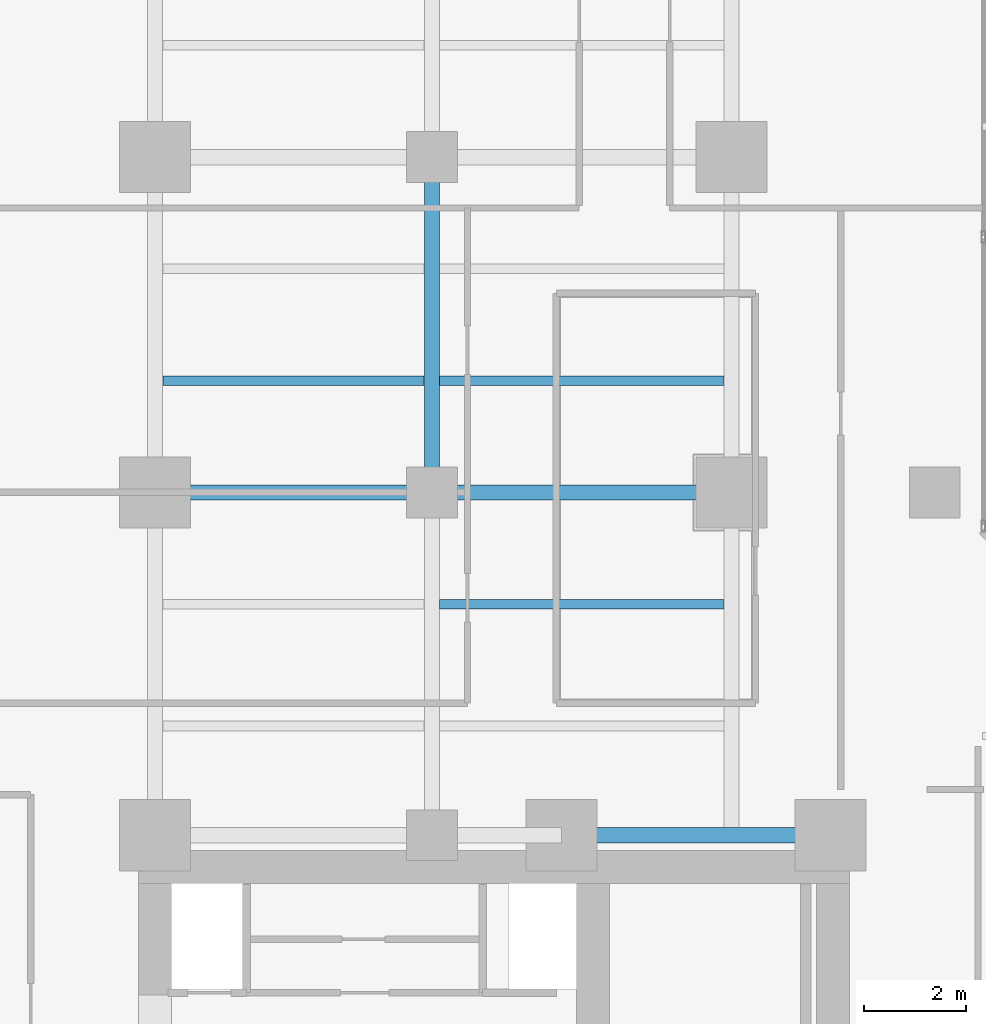
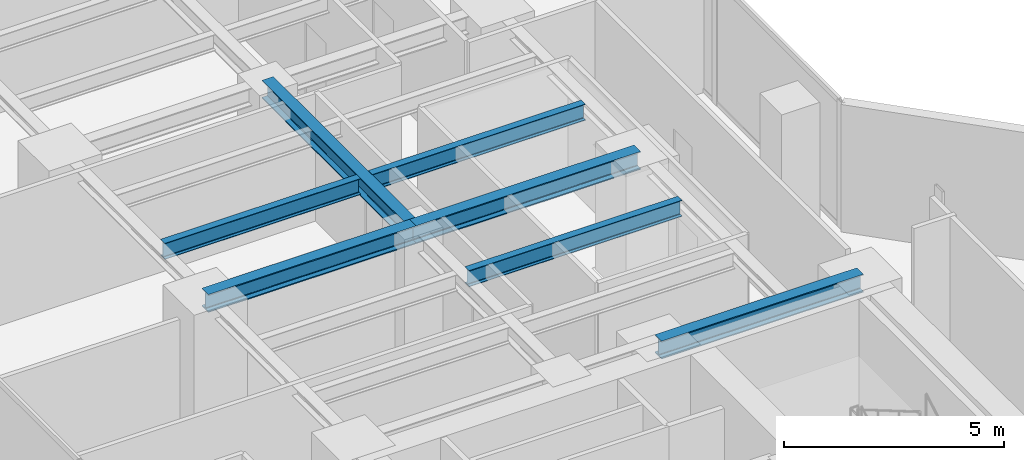
# One storey, part 8 of 27: 7 beams.
"""IFC4 building model written with IfcOpenShell, lengths in metres."""

import ifcopenshell
import ifcopenshell.guid

model = None  # the IFC model being written
_history = None  # IfcOwnerHistory: only IFC2X3 demands one
_inside = {}  # id of a spatial element -> (the spatial element, [elements in it])
_under = {}  # id of a project, library or spatial element -> (it, [spatial elements below it])
_declared = {}  # id of a project -> (the project, [libraries it declares])
_typed = {}  # id of a type object -> (the type object, [elements of that type])
_made_of = {}  # id of a material, layer set ... -> (it, [elements and type objects made of it])


def new_model(schema):
    """Start an empty IFC model of exactly this schema.

    Asked for "IFC4X3", IfcOpenShell would pick the latest addendum, in which some entities
    have other attributes; the version numbers below select the first issue.
    IFC2X3 requires an IfcOwnerHistory on every rooted entity: one is made here for all.
    """
    global model, _history
    if schema == "IFC4X3":
        model = ifcopenshell.file(schema_version=(4, 3, 0, 0))
    else:
        model = ifcopenshell.file(schema=schema)
    _inside.clear()
    _under.clear()
    _declared.clear()
    _typed.clear()
    _made_of.clear()
    _history = None
    if model.schema == "IFC2X3":
        org = make("IfcOrganization", Name="unknown")
        user = make(
            "IfcPersonAndOrganization",
            ThePerson=make("IfcPerson", FamilyName="unknown"),
            TheOrganization=org,
        )
        app = make(
            "IfcApplication",
            ApplicationDeveloper=org,
            Version="unknown",
            ApplicationFullName="unknown",
            ApplicationIdentifier="unknown",
        )
        _history = make(
            "IfcOwnerHistory",
            OwningUser=user,
            OwningApplication=app,
            ChangeAction="ADDED",
            CreationDate=0,
        )
    return model


def make(cls, **values):
    """One entity of the class cls with the attributes given. An attribute that is None is left unset."""
    return model.create_entity(
        cls, **{name: value for name, value in values.items() if value is not None}
    )


def rooted(cls, **values):
    """An entity with a GlobalId (a new one), such as an element, a storey or a relation."""
    return make(cls, GlobalId=ifcopenshell.guid.new(), OwnerHistory=_history, **values)


def si_unit(unit_type, name, prefix=None):
    """IfcSIUnit, for example si_unit("LENGTHUNIT", "METRE", prefix="MILLI")."""
    return make("IfcSIUnit", UnitType=unit_type, Prefix=prefix, Name=name)


def assignment(units):
    """IfcUnitAssignment: the units of a project."""
    return None if units is None else make("IfcUnitAssignment", Units=units)


def point(xyz):
    """IfcCartesianPoint."""
    return None if xyz is None else make("IfcCartesianPoint", Coordinates=xyz)


def direction(xyz):
    """IfcDirection."""
    return None if xyz is None else make("IfcDirection", DirectionRatios=xyz)


def frame(location, z_axis=None, x_axis=None):
    """IfcAxis2Placement3D, a coordinate frame: its origin and axes. An axis left out is left unset."""
    return make(
        "IfcAxis2Placement3D",
        Location=point(location),
        Axis=direction(z_axis),
        RefDirection=direction(x_axis),
    )


def frame_2d(location, x_axis=None):
    """IfcAxis2Placement2D, a coordinate frame in the plane: its origin and x axis."""
    return make(
        "IfcAxis2Placement2D", Location=point(location), RefDirection=direction(x_axis)
    )


def origin():
    """The frame at (0, 0, 0) with its axes left unset."""
    return frame((0.0, 0.0, 0.0))


def origin_2d():
    """The frame at (0, 0) in the plane with its x axis left unset."""
    return frame_2d((0.0, 0.0))


def place(relative_to, where):
    """IfcLocalPlacement: puts the frame where relative to a parent placement (None: the world)."""
    return make(
        "IfcLocalPlacement", PlacementRelTo=relative_to, RelativePlacement=where
    )


def context(
    kind, dimensions, precision=None, world=None, true_north=None, identifier=None
):
    """IfcGeometricRepresentationContext, for example the 3D "Model" context."""
    return make(
        "IfcGeometricRepresentationContext",
        ContextIdentifier=identifier,
        ContextType=kind,
        CoordinateSpaceDimension=dimensions,
        Precision=precision,
        WorldCoordinateSystem=world,
        TrueNorth=true_north,
    )


def subcontext(parent, identifier, kind, view, scale=None):
    """IfcGeometricRepresentationSubContext, for example "Body" below "Model"."""
    return make(
        "IfcGeometricRepresentationSubContext",
        ContextIdentifier=identifier,
        ContextType=kind,
        ParentContext=parent,
        TargetScale=scale,
        TargetView=view,
    )


def project(units=None, contexts=None):
    """IfcProject with its units and contexts."""
    return rooted(
        "IfcProject",
        Name="project",
        RepresentationContexts=contexts,
        UnitsInContext=assignment(units),
    )


def spatial(cls, under=None, at=None, **own):
    """A site, building, storey or space (cls), placed at a placement, below another one or the project."""
    s = rooted(cls, ObjectPlacement=at, **own)
    if under is not None:
        _under.setdefault(under.id(), (under, []))[1].append(s)
    return s


def profile(cls, at=None, kind="AREA", **sizes):
    """A parametric profile (cls). Its sizes go by their IFC names, for example OverallWidth=200.0."""
    return make(cls, ProfileType=kind, Position=at, **sizes)


def i_section(**sizes):
    """IfcIShapeProfileDef."""
    return profile("IfcIShapeProfileDef", **sizes)


def extrude(swept, where, along, depth):
    """IfcExtrudedAreaSolid: the profile swept, set in the frame where, extruded along a direction by depth."""
    return make(
        "IfcExtrudedAreaSolid",
        SweptArea=swept,
        Position=where,
        ExtrudedDirection=direction(along),
        Depth=depth,
    )


def shape(context_of_items, identifier, shape_type, items):
    """IfcShapeRepresentation: the items that make up one representation, for example the "Body"."""
    return make(
        "IfcShapeRepresentation",
        ContextOfItems=context_of_items,
        RepresentationIdentifier=identifier,
        RepresentationType=shape_type,
        Items=items,
    )


def material(Name=None, Category=None):
    """IfcMaterial."""
    return make("IfcMaterial", Name=Name, Category=Category)


def material_profile(
    of_material, cross_section, Name=None, Category=None, Priority=None
):
    """IfcMaterialProfile: a cross section and its material."""
    return make(
        "IfcMaterialProfile",
        Name=Name,
        Material=of_material,
        Profile=cross_section,
        Priority=Priority,
        Category=Category,
    )


def profile_set(profiles, Name=None, composite=None):
    """IfcMaterialProfileSet."""
    return make(
        "IfcMaterialProfileSet",
        Name=Name,
        MaterialProfiles=profiles,
        CompositeProfile=composite,
    )


def made_of(thing, what):
    """Note that an element or type object is made of a material, layer set ...; save() writes the relation."""
    if what is not None:
        _made_of.setdefault(what.id(), (what, []))[1].append(thing)
    return thing


def type_object(cls, material=None, **own):
    """A type object (cls), such as IfcWallType, which elements share."""
    return made_of(rooted(cls, **own), material)


def element(
    cls,
    number,
    at=None,
    inside=None,
    cuts=None,
    type_object=None,
    material=None,
    context=None,
    identifier="Body",
    shape_type=None,
    held_by="IfcProductDefinitionShape",
    body=None,
    shapes=None,
    **own,
):
    """One element of the class cls, such as IfcWall. Its Tag is "e" and its number.

    at: its placement. inside: the storey or other place that contains it. cuts: it is an
    opening in that element (IfcRelVoidsElement). A single representation is given by context,
    identifier, shape_type and body (its items); several are given by shapes. held_by: the class
    of the entity that holds the representations. save() writes the other relations.
    """
    e = rooted(cls, Tag="e%d" % number, ObjectPlacement=at, **own)
    if body is not None:
        shapes = [shape(context, identifier, shape_type, body)]
    if shapes is not None:
        e.Representation = make(held_by, Representations=shapes)
    if inside is not None:
        _inside.setdefault(inside.id(), (inside, []))[1].append(e)
    if cuts is not None:
        rooted(
            "IfcRelVoidsElement", RelatingBuildingElement=cuts, RelatedOpeningElement=e
        )
    if type_object is not None:
        _typed.setdefault(type_object.id(), (type_object, []))[1].append(e)
    return made_of(e, material)


def aggregate(whole, parts):
    """IfcRelAggregates: a whole, such as a stair, and the parts it consists of."""
    return rooted("IfcRelAggregates", RelatingObject=whole, RelatedObjects=parts)


def save(model, path):
    """Write the relations noted so far, then the file.

    IfcRelAggregates (storeys below a building ...), IfcRelContainedInSpatialStructure (elements
    in a storey), IfcRelDefinesByType, IfcRelAssociatesMaterial and IfcRelDeclares: one each for
    every whole, place, type object, material and project.
    """
    for whole, parts in _under.values():
        aggregate(whole, parts)
    for where, things in _inside.values():
        rooted(
            "IfcRelContainedInSpatialStructure",
            RelatedElements=things,
            RelatingStructure=where,
        )
    for kind, things in _typed.values():
        rooted("IfcRelDefinesByType", RelatedObjects=things, RelatingType=kind)
    for what, things in _made_of.values():
        rooted("IfcRelAssociatesMaterial", RelatedObjects=things, RelatingMaterial=what)
    for by, libraries in _declared.values():
        rooted("IfcRelDeclares", RelatingContext=by, RelatedDefinitions=libraries)
    model.write(path)


model = new_model("IFC4")

# Units and contexts
model_context = context("Model", 3, precision=1e-05, world=origin(), true_north=direction((0.0, 1.0)))
body_context = subcontext(model_context, "Body", "Model", "MODEL_VIEW")
ifc_project = project(units=[si_unit("LENGTHUNIT", "METRE"), si_unit("AREAUNIT", "SQUARE_METRE"), si_unit("VOLUMEUNIT", "CUBIC_METRE"), si_unit("PLANEANGLEUNIT", "RADIAN"), si_unit("MASSUNIT", "GRAM", prefix="KILO")], contexts=[model_context])

# Site, building, storey
site_placement = place(None, origin())
site = spatial("IfcSite", under=ifc_project, at=site_placement, CompositionType="ELEMENT")
building_placement = place(site_placement, origin())
building = spatial("IfcBuilding", under=site, at=building_placement, Name="Kolvaren Waterfront Exchange", CompositionType="ELEMENT")
storey_placement = place(building_placement, frame((0.0, 0.0, 118.300048828125)))
storey = spatial("IfcBuildingStorey", under=building, at=storey_placement, Name="L30", CompositionType="ELEMENT", Elevation=118.300048828125)

# Beams
ifc_material = material(Name="Steel S355", Category="steel")
ifc_material_profile_1 = material_profile(ifc_material, i_section(OverallWidth=0.300048828125, OverallDepth=0.5, WebThickness=0.014404296875, FlangeThickness=0.028076171875, FilletRadius=0.027099609375, at=origin_2d()), Name="HEB500")
ifc_profile_set_1 = profile_set([ifc_material_profile_1], Name="Steel S355")
beam_type_1 = type_object("IfcBeamType", Name="STR-BM-HEB500", PredefinedType="BEAM", material=ifc_profile_set_1)
beam_1_placement = place(storey_placement, frame((15.449951171875, 24.449951171875, 3.2900390625), z_axis=(1.0, 0.0, 0.0), x_axis=(0.0, 1.0, 0.0)))
element("IfcBeam", 1, at=beam_1_placement, inside=storey, type_object=beam_type_1, Name="L30 north-arm girder 1C", PredefinedType="BEAM", context=body_context, shape_type="SweptSolid", body=[
    extrude(i_section(OverallWidth=0.300048828125, OverallDepth=0.5, WebThickness=0.014404296875, FlangeThickness=0.028076171875, FilletRadius=0.027099609375, at=origin_2d()), origin(), (0.0, 0.0, 1.0), 5.300048828125),
])
beam_2_placement = place(storey_placement, frame((7.449951171875, 31.199951171875, 3.2900390625), z_axis=(1.0, 0.0, 0.0), x_axis=(0.0, 1.0, 0.0)))
element("IfcBeam", 2, at=beam_2_placement, inside=storey, type_object=beam_type_1, Name="L30 north-arm girder 2A", PredefinedType="BEAM", context=body_context, shape_type="SweptSolid", body=[
    extrude(i_section(OverallWidth=0.300048828125, OverallDepth=0.5, WebThickness=0.014404296875, FlangeThickness=0.028076171875, FilletRadius=0.027099609375, at=origin_2d()), origin(), (0.0, 0.0, 1.0), 5.449951171875),
])
beam_3_placement = place(storey_placement, frame((12.89990234375, 31.199951171875, 3.2900390625), z_axis=(1.0, 0.0, 0.0), x_axis=(0.0, 1.0, 0.0)))
element("IfcBeam", 3, at=beam_3_placement, inside=storey, type_object=beam_type_1, Name="L30 north-arm girder 2B", PredefinedType="BEAM", context=body_context, shape_type="SweptSolid", body=[
    extrude(i_section(OverallWidth=0.300048828125, OverallDepth=0.5, WebThickness=0.014404296875, FlangeThickness=0.028076171875, FilletRadius=0.027099609375, at=origin_2d()), origin(), (0.0, 0.0, 1.0), 5.900146484375),
])
beam_4_placement = place(storey_placement, frame((12.89990234375, 31.199951171875, 3.2900390625), z_axis=(0.0, 1.0, 0.0), x_axis=(-1.0, 0.0, 0.0)))
element("IfcBeam", 4, at=beam_4_placement, inside=storey, type_object=beam_type_1, Name="L30 north-arm edge beam 2", PredefinedType="BEAM", context=body_context, shape_type="SweptSolid", body=[
    extrude(i_section(OverallWidth=0.300048828125, OverallDepth=0.5, WebThickness=0.014404296875, FlangeThickness=0.028076171875, FilletRadius=0.027099609375, at=origin_2d()), origin(), (0.0, 0.0, 1.0), 6.60009765625),
])
ifc_material_profile_2 = material_profile(ifc_material, i_section(OverallWidth=0.18994140625, OverallDepth=0.449951171875, WebThickness=0.009521484375, FlangeThickness=0.0146484375, FilletRadius=0.02099609375, at=origin_2d()), Name="IPE450")
ifc_profile_set_2 = profile_set([ifc_material_profile_2], Name="Steel S355")
beam_type_2 = type_object("IfcBeamType", Name="STR-BM-IPE450", PredefinedType="JOIST", material=ifc_profile_set_2)
beam_5_placement = place(storey_placement, frame((13.052001953125, 29.0, 3.31494140625), z_axis=(1.0, 0.0, 0.0), x_axis=(0.0, 1.0, 0.0)))
element("IfcBeam", 5, at=beam_5_placement, inside=storey, type_object=beam_type_2, Name="L30 north-arm composite joist 2B", PredefinedType="JOIST", context=body_context, shape_type="SweptSolid", body=[
    extrude(i_section(OverallWidth=0.18994140625, OverallDepth=0.449951171875, WebThickness=0.009521484375, FlangeThickness=0.0146484375, FilletRadius=0.02099609375, at=origin_2d()), origin(), (0.0, 0.0, 1.0), 5.595947265625),
])
beam_6_placement = place(storey_placement, frame((7.60205078125, 33.39990234375, 3.31494140625), z_axis=(1.0, 0.0, 0.0), x_axis=(0.0, 1.0, 0.0)))
element("IfcBeam", 6, at=beam_6_placement, inside=storey, type_object=beam_type_2, Name="L30 north-arm composite joist 3A", PredefinedType="JOIST", context=body_context, shape_type="SweptSolid", body=[
    extrude(i_section(OverallWidth=0.18994140625, OverallDepth=0.449951171875, WebThickness=0.009521484375, FlangeThickness=0.0146484375, FilletRadius=0.02099609375, at=origin_2d()), origin(), (0.0, 0.0, 1.0), 5.14599609375),
])
beam_7_placement = place(storey_placement, frame((13.052001953125, 33.39990234375, 3.31494140625), z_axis=(1.0, 0.0, 0.0), x_axis=(0.0, 1.0, 0.0)))
element("IfcBeam", 7, at=beam_7_placement, inside=storey, type_object=beam_type_2, Name="L30 north-arm composite joist 3B", PredefinedType="JOIST", context=body_context, shape_type="SweptSolid", body=[
    extrude(i_section(OverallWidth=0.18994140625, OverallDepth=0.449951171875, WebThickness=0.009521484375, FlangeThickness=0.0146484375, FilletRadius=0.02099609375, at=origin_2d()), origin(), (0.0, 0.0, 1.0), 5.595947265625),
])

save(model, "model.ifc")
